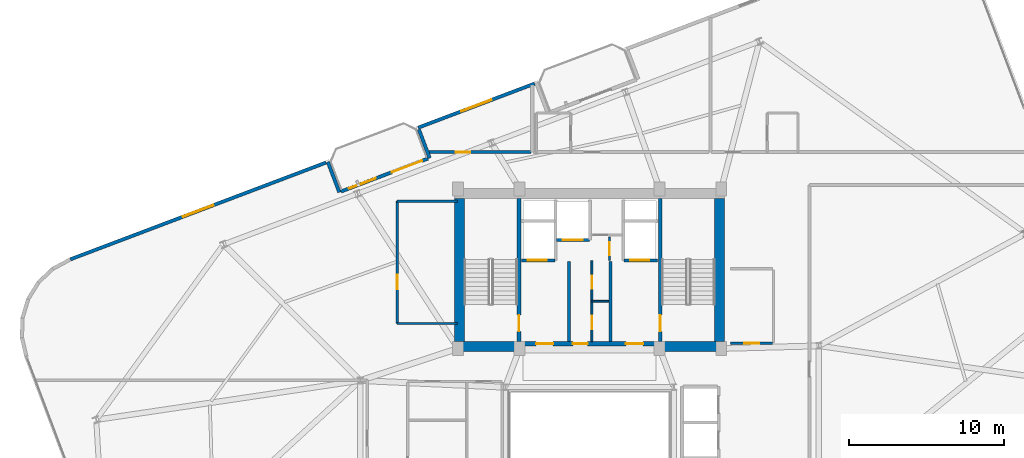
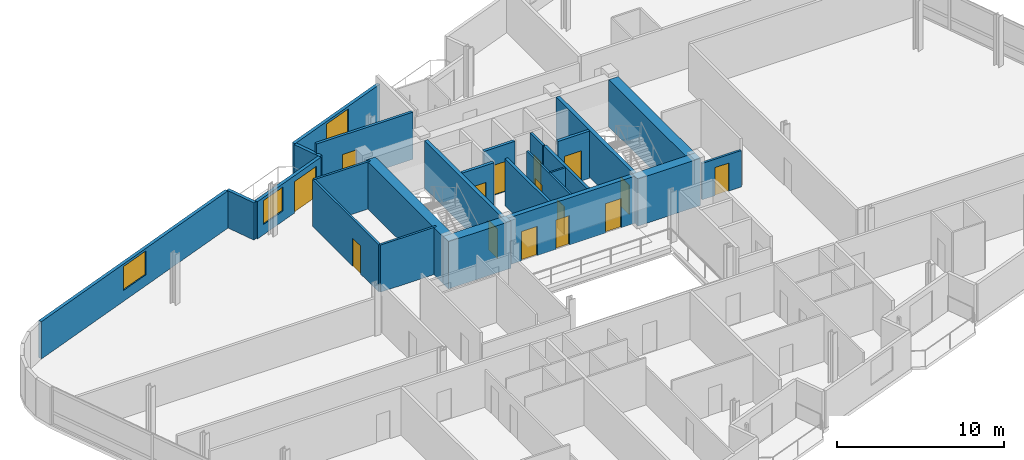
# One storey, part 20 of 24: 25 walls, 15 doors, 3 windows, 18 openings.
"""IFC4 building model written with IfcOpenShell, lengths in metres."""

from ifc_helpers import new_model, si_unit, direction, frame, frame_2d, origin, place, context, subcontext, project, spatial, rectangle, extrude, material, layer, layer_set, type_object, element, fill, save


model = new_model("IFC4")

# Units and contexts
model_context = context("Model", 3, precision=1e-05, world=origin(), true_north=direction((0.0, 1.0)))
body_context = subcontext(model_context, "Body", "Model", "MODEL_VIEW")
ifc_project = project(units=[si_unit("LENGTHUNIT", "METRE"), si_unit("AREAUNIT", "SQUARE_METRE"), si_unit("VOLUMEUNIT", "CUBIC_METRE"), si_unit("PLANEANGLEUNIT", "RADIAN"), si_unit("MASSUNIT", "GRAM", prefix="KILO")], contexts=[model_context])

# Site, building, storey
site_placement = place(None, origin())
site = spatial("IfcSite", under=ifc_project, at=site_placement, CompositionType="ELEMENT")
building_placement = place(site_placement, origin())
building = spatial("IfcBuilding", under=site, at=building_placement, Name="Varnelok Gate Tower", CompositionType="ELEMENT")
storey_placement = place(building_placement, frame((0.0, 0.0, 212.699951171875)))
storey = spatial("IfcBuildingStorey", under=building, at=storey_placement, Name="L54", CompositionType="ELEMENT", Elevation=212.699951171875)

# Wall, openings, door, window
ifc_material_1 = material(Name="Concrete C45/55", Category="concrete")
ifc_layer_1 = layer(ifc_material_1, 0.219970703125)
ifc_layer_set_1 = layer_set([ifc_layer_1], Name="Concrete C45/55")
wall_type_1 = type_object("IfcWallType", Name="EW-BALC-220", PredefinedType="SOLIDWALL", material=ifc_layer_set_1)
wall_1_placement = place(storey_placement, frame((23.1494140625, 38.88720703125, 0.0), z_axis=(0.0, 0.0, 1.0), x_axis=(0.9352192676, 0.354069091436, 0.0)))
wall_1 = element("IfcWall", 1, at=wall_1_placement, inside=storey, type_object=wall_type_1, Name="L54 North Terrace Envelope Wall 3", PredefinedType="SOLIDWALL", context=body_context, shape_type="SweptSolid", body=[
    extrude(rectangle(XDim=6.000244140625, YDim=0.219970703125, at=frame_2d((3.0, 0.0))), origin(), (0.0, 0.0, 1.0), 2.72998046875),
])
opening_1_placement = place(wall_1_placement, frame((3.5, 0.0, 0.0)))
opening_1 = element("IfcOpeningElement", 2, at=opening_1_placement, cuts=wall_1, Name="Opening BD-2", PredefinedType="OPENING", context=body_context, shape_type="SweptSolid", body=[
    extrude(rectangle(XDim=2.10009765625, YDim=2.300048828125, at=frame_2d((1.050048828125, 1.14990234375))), frame((0.0, 0.119873046875, 0.0), z_axis=(0.0, -1.0, 0.0), x_axis=(1.0, 0.0, 0.0)), (0.0, 0.0, 1.0), 0.239990234375),
])
opening_2_placement = place(wall_1_placement, frame((0.550048828125, 0.0, 0.75)))
opening_2 = element("IfcOpeningElement", 3, at=opening_2_placement, cuts=wall_1, Name="Opening WN5", PredefinedType="OPENING", context=body_context, shape_type="SweptSolid", body=[
    extrude(rectangle(XDim=1.85009765625, YDim=1.75, at=frame_2d((0.925048828125, 0.875))), frame((0.0, 0.119873046875, 0.0), z_axis=(0.0, -1.0, 0.0), x_axis=(1.0, 0.0, 0.0)), (0.0, 0.0, 1.0), 0.239990234375),
])
ifc_material_2 = material(Name="Anodized Aluminum Alloy 6063-T6", Category="aluminium")
door_type_1 = type_object("IfcDoorType", Name="DR-EXT-SLID2100", OperationType="SLIDING_TO_LEFT", PredefinedType="DOOR", material=ifc_material_2)
door_1_placement = place(opening_1_placement, origin())
door_1 = element("IfcDoor", 4, at=door_1_placement, inside=storey, type_object=door_type_1, Name="L54 North Balcony Glazed Door 3", OperationType="SLIDING_TO_LEFT", OverallHeight=2.300048828125, OverallWidth=2.10009765625, PredefinedType="DOOR", context=body_context, shape_type="SweptSolid", body=[
    extrude(rectangle(XDim=2.10009765625, YDim=2.300048828125, at=frame_2d((1.050048828125, 1.14990234375))), frame((0.0, 0.02490234375, 0.0), z_axis=(0.0, -1.0, 0.0), x_axis=(1.0, 0.0, 0.0)), (0.0, 0.0, 1.0), 0.050048828125),
])
fill(opening_1, door_1)
ifc_material_3 = material(Name="Low-E Laminated Double Glazing IGU", Category="glass")
window_type_1 = type_object("IfcWindowType", Name="WN-RES-1850", PartitioningType="SINGLE_PANEL", PredefinedType="WINDOW", material=ifc_material_3)
window_1_placement = place(opening_2_placement, origin())
window_1 = element("IfcWindow", 5, at=window_1_placement, inside=storey, type_object=window_type_1, Name="L54 North Vision Window 3.1", OverallHeight=1.75, OverallWidth=1.85009765625, PartitioningType="SINGLE_PANEL", PredefinedType="WINDOW", context=body_context, shape_type="SweptSolid", body=[
    extrude(rectangle(XDim=1.85009765625, YDim=1.75, at=frame_2d((0.925048828125, 0.875))), frame((0.0, 0.030029296875, 0.0), z_axis=(0.0, -1.0, 0.0), x_axis=(1.0, 0.0, 0.0)), (0.0, 0.0, 1.0), 0.06005859375),
])
fill(opening_2, window_1)

# Wall, opening, window
wall_2_placement = place(storey_placement, frame((35.647705078125, 45.853515625, 0.0), z_axis=(0.0, 0.0, 1.0), x_axis=(-0.935230796934, -0.354038636968, 0.0)))
wall_2 = element("IfcWall", 6, at=wall_2_placement, inside=storey, type_object=wall_type_1, Name="L54 Perimeter Facade Closure Wall 29", PredefinedType="SOLIDWALL", context=body_context, shape_type="SweptSolid", body=[
    extrude(rectangle(XDim=8.03515625, YDim=0.219970703125, at=frame_2d((4.017578125, 0.0))), origin(), (0.0, 0.0, 1.0), 2.72998046875),
])
opening_3_placement = place(wall_2_placement, frame((2.967529296875, 0.0, 0.800048828125)))
opening_3 = element("IfcOpeningElement", 7, at=opening_3_placement, cuts=wall_2, Name="Opening WN4", PredefinedType="OPENING", context=body_context, shape_type="SweptSolid", body=[
    extrude(rectangle(XDim=2.10009765625, YDim=1.75, at=frame_2d((1.050048828125, 0.875))), frame((0.0, 0.119873046875, 0.0), z_axis=(0.0, -1.0, 0.0), x_axis=(1.0, 0.0, 0.0)), (0.0, 0.0, 1.0), 0.239990234375),
])
window_type_2 = type_object("IfcWindowType", Name="WN-SUI-2100", PartitioningType="SINGLE_PANEL", PredefinedType="WINDOW", material=ifc_material_3)
window_2_placement = place(opening_3_placement, origin())
window_2 = element("IfcWindow", 8, at=window_2_placement, inside=storey, type_object=window_type_2, Name="L54 Perimeter Vision Window 29", OverallHeight=1.75, OverallWidth=2.10009765625, PartitioningType="SINGLE_PANEL", PredefinedType="WINDOW", context=body_context, shape_type="SweptSolid", body=[
    extrude(rectangle(XDim=2.10009765625, YDim=1.75, at=frame_2d((1.050048828125, 0.875))), frame((0.0, 0.030029296875, 0.0), z_axis=(0.0, -1.0, 0.0), x_axis=(1.0, 0.0, 0.0)), (0.0, 0.0, 1.0), 0.06005859375),
])
fill(opening_3, window_2)

# Walls
wall_3_placement = place(storey_placement, frame((28.177490234375, 42.891845703125, 0.0), z_axis=(0.0, 0.0, 1.0), x_axis=(0.354061611705, -0.935222099352, 0.0)))
element("IfcWall", 9, at=wall_3_placement, inside=storey, type_object=wall_type_1, Name="L54 Perimeter Facade Closure Wall 30", PredefinedType="SOLIDWALL", context=body_context, shape_type="SweptSolid", body=[
    extrude(rectangle(XDim=1.974853515625, YDim=0.219970703125, at=frame_2d((0.9873046875, 0.0))), origin(), (0.0, 0.0, 1.0), 2.72998046875),
])
wall_4_placement = place(storey_placement, frame((23.041015625, 38.83544921875, 0.0), z_axis=(0.0, 0.0, 1.0), x_axis=(-0.354128469405, 0.935196785258, 0.0)))
element("IfcWall", 10, at=wall_4_placement, inside=storey, type_object=wall_type_1, Name="L54 Perimeter Facade Closure Wall 31", PredefinedType="SOLIDWALL", context=body_context, shape_type="SweptSolid", body=[
    extrude(rectangle(XDim=2.099853515625, YDim=0.219970703125, at=frame_2d((1.0498046875, 0.0))), origin(), (0.0, 0.0, 1.0), 2.72998046875),
])

# Wall, opening, window
wall_5_placement = place(storey_placement, frame((22.180419921875, 40.755126953125, 0.0), z_axis=(0.0, 0.0, 1.0), x_axis=(-0.935223867561, -0.354056941104, 0.0)))
wall_5 = element("IfcWall", 11, at=wall_5_placement, inside=storey, type_object=wall_type_1, Name="L54 Perimeter Facade Closure Wall 32", PredefinedType="SOLIDWALL", context=body_context, shape_type="SweptSolid", body=[
    extrude(rectangle(XDim=17.64697265625, YDim=0.219970703125, at=frame_2d((8.823486328125, 0.0))), origin(), (0.0, 0.0, 1.0), 2.72998046875),
])
opening_4_placement = place(wall_5_placement, frame((7.773681640625, 0.0, 0.800048828125)))
opening_4 = element("IfcOpeningElement", 12, at=opening_4_placement, cuts=wall_5, Name="Opening WN4", PredefinedType="OPENING", context=body_context, shape_type="SweptSolid", body=[
    extrude(rectangle(XDim=2.10009765625, YDim=1.75, at=frame_2d((1.050048828125, 0.875))), frame((0.0, 0.119873046875, 0.0), z_axis=(0.0, -1.0, 0.0), x_axis=(1.0, 0.0, 0.0)), (0.0, 0.0, 1.0), 0.239990234375),
])
window_3_placement = place(opening_4_placement, origin())
window_3 = element("IfcWindow", 13, at=window_3_placement, inside=storey, type_object=window_type_2, Name="L54 Perimeter Vision Window 32", OverallHeight=1.75, OverallWidth=2.10009765625, PartitioningType="SINGLE_PANEL", PredefinedType="WINDOW", context=body_context, shape_type="SweptSolid", body=[
    extrude(rectangle(XDim=2.10009765625, YDim=1.75, at=frame_2d((1.050048828125, 0.875))), frame((0.0, 0.030029296875, 0.0), z_axis=(0.0, -1.0, 0.0), x_axis=(1.0, 0.0, 0.0)), (0.0, 0.0, 1.0), 0.06005859375),
])
fill(opening_4, window_3)

# Wall, opening, door
ifc_material_4 = material(Name="Gypsum Plasterboard Acoustic Partition", Category="gypsum")
ifc_layer_2 = layer(ifc_material_4, 0.179931640625)
ifc_layer_set_2 = layer_set([ifc_layer_2], Name="Gypsum Plasterboard Acoustic Partition")
wall_type_2 = type_object("IfcWallType", Name="PW-CORR-180", PredefinedType="PARTITIONING", material=ifc_layer_set_2)
wall_6_placement = place(storey_placement, frame((28.752197265625, 41.429931640625, 0.0), z_axis=(0.0, 0.0, 1.0), x_axis=(1.0, 0.0, 0.0)))
wall_6 = element("IfcWall", 14, at=wall_6_placement, inside=storey, type_object=wall_type_2, Name="Interior Partition", PredefinedType="PARTITIONING", context=body_context, shape_type="SweptSolid", body=[
    extrude(rectangle(XDim=6.667724609375, YDim=0.179931640625, at=frame_2d((3.333984375, 0.0))), origin(), (0.0, 0.0, 1.0), 3.449951171875),
])
opening_5_placement = place(wall_6_placement, frame((1.80322265625, 0.0, 0.0)))
opening_5 = element("IfcOpeningElement", 15, at=opening_5_placement, cuts=wall_6, Name="Opening D-I2", PredefinedType="OPENING", context=body_context, shape_type="SweptSolid", body=[
    extrude(rectangle(XDim=0.949951171875, YDim=2.050048828125, at=frame_2d((0.47509765625, 1.02490234375))), frame((0.0, 0.099853515625, 0.0), z_axis=(0.0, -1.0, 0.0), x_axis=(1.0, 0.0, 0.0)), (0.0, 0.0, 1.0), 0.199951171875),
])
ifc_material_5 = material(Name="Engineered Hardwood Timber", Category="wood")
door_type_2 = type_object("IfcDoorType", Name="DR-INT-950", OperationType="NOTDEFINED", PredefinedType="DOOR", material=ifc_material_5)
door_2_placement = place(opening_5_placement, origin())
door_2 = element("IfcDoor", 16, at=door_2_placement, inside=storey, type_object=door_type_2, Name="L54 Sky Library Door", OperationType="SINGLE_SWING_LEFT", OverallHeight=2.050048828125, OverallWidth=0.949951171875, PredefinedType="DOOR", context=body_context, shape_type="SweptSolid", body=[
    extrude(rectangle(XDim=0.949951171875, YDim=2.050048828125, at=frame_2d((0.47509765625, 1.02490234375))), frame((0.0, 0.02490234375, 0.0), z_axis=(0.0, -1.0, 0.0), x_axis=(1.0, 0.0, 0.0)), (0.0, 0.0, 1.0), 0.050048828125),
])
fill(opening_5, door_2)

# Wall
ifc_layer_3 = layer(ifc_material_4, 0.125)
ifc_layer_set_3 = layer_set([ifc_layer_3], Name="Gypsum Plasterboard Acoustic Partition")
wall_type_3 = type_object("IfcWallType", Name="PW-PART-125", PredefinedType="PARTITIONING", material=ifc_layer_set_3)
wall_7_placement = place(storey_placement, frame((39.35009765625, 31.800048828125, 0.0), z_axis=(0.0, 0.0, 1.0), x_axis=(1.0, 0.0, 0.0)))
element("IfcWall", 17, at=wall_7_placement, inside=storey, type_object=wall_type_3, Name="Interior Partition", PredefinedType="PARTITIONING", context=body_context, shape_type="SweptSolid", body=[
    extrude(rectangle(XDim=1.08984375, YDim=0.125, at=frame_2d((0.544921875, 0.0))), origin(), (0.0, 0.0, 1.0), 3.449951171875),
])

# Wall, openings, doors
wall_8_placement = place(storey_placement, frame((39.35009765625, 29.199951171875, 0.0), z_axis=(0.0, 0.0, 1.0), x_axis=(0.0, 1.0, 0.0)))
wall_8 = element("IfcWall", 18, at=wall_8_placement, inside=storey, type_object=wall_type_3, Name="Interior Partition", PredefinedType="PARTITIONING", context=body_context, shape_type="SweptSolid", body=[
    extrude(rectangle(XDim=5.219970703125, YDim=0.125, at=frame_2d((2.60986328125, 0.0))), origin(), (0.0, 0.0, 1.0), 3.449951171875),
])
opening_6_placement = place(wall_8_placement, frame((0.800048828125, 0.0, 0.0)))
opening_6 = element("IfcOpeningElement", 19, at=opening_6_placement, cuts=wall_8, Name="Opening D-RS", PredefinedType="OPENING", context=body_context, shape_type="SweptSolid", body=[
    extrude(rectangle(XDim=0.85009765625, YDim=2.050048828125, at=frame_2d((0.425048828125, 1.02490234375))), frame((0.0, 0.072509765625, 0.0), z_axis=(0.0, -1.0, 0.0), x_axis=(1.0, 0.0, 0.0)), (0.0, 0.0, 1.0), 0.14501953125),
])
opening_7_placement = place(wall_8_placement, frame((3.39990234375, 0.0, 0.0)))
opening_7 = element("IfcOpeningElement", 20, at=opening_7_placement, cuts=wall_8, Name="Opening D-RS", PredefinedType="OPENING", context=body_context, shape_type="SweptSolid", body=[
    extrude(rectangle(XDim=0.85009765625, YDim=2.050048828125, at=frame_2d((0.425048828125, 1.02490234375))), frame((0.0, 0.072509765625, 0.0), z_axis=(0.0, -1.0, 0.0), x_axis=(1.0, 0.0, 0.0)), (0.0, 0.0, 1.0), 0.14501953125),
])
ifc_material_6 = material(Name="Galvanized Steel Grade S350GD", Category="steel")
door_type_3 = type_object("IfcDoorType", Name="DR-RISER-850", OperationType="NOTDEFINED", PredefinedType="DOOR", material=ifc_material_6)
door_3_placement = place(opening_6_placement, origin())
door_3 = element("IfcDoor", 21, at=door_3_placement, inside=storey, type_object=door_type_3, Name="L54 Housekeeping Linen Door", OperationType="SINGLE_SWING_RIGHT", OverallHeight=2.050048828125, OverallWidth=0.85009765625, PredefinedType="DOOR", context=body_context, shape_type="SweptSolid", body=[
    extrude(rectangle(XDim=0.85009765625, YDim=2.050048828125, at=frame_2d((0.425048828125, 1.02490234375))), frame((0.0, 0.02490234375, 0.0), z_axis=(0.0, -1.0, 0.0), x_axis=(1.0, 0.0, 0.0)), (0.0, 0.0, 1.0), 0.050048828125),
])
fill(opening_6, door_3)
door_4_placement = place(opening_7_placement, origin())
door_4 = element("IfcDoor", 22, at=door_4_placement, inside=storey, type_object=door_type_3, Name="L54 Core Supply Door", OperationType="SINGLE_SWING_LEFT", OverallHeight=2.050048828125, OverallWidth=0.85009765625, PredefinedType="DOOR", context=body_context, shape_type="SweptSolid", body=[
    extrude(rectangle(XDim=0.85009765625, YDim=2.050048828125, at=frame_2d((0.425048828125, 1.02490234375))), frame((0.0, 0.02490234375, 0.0), z_axis=(0.0, -1.0, 0.0), x_axis=(1.0, 0.0, 0.0)), (0.0, 0.0, 1.0), 0.050048828125),
])
fill(opening_7, door_4)

# Wall, opening, door
ifc_layer_4 = layer(ifc_material_4, 0.14990234375)
ifc_layer_set_4 = layer_set([ifc_layer_4], Name="Gypsum Plasterboard Acoustic Partition")
wall_type_4 = type_object("IfcWallType", Name="PW-PART-150", PredefinedType="PARTITIONING", material=ifc_layer_set_4)
wall_9_placement = place(storey_placement, frame((40.47998046875, 34.43994140625, 0.0), z_axis=(0.0, 0.0, 1.0), x_axis=(0.0, 1.0, 0.0)))
wall_9 = element("IfcWall", 23, at=wall_9_placement, inside=storey, type_object=wall_type_4, Name="L54 Telecoms Closet West Wall", PredefinedType="PARTITIONING", context=body_context, shape_type="SweptSolid", body=[
    extrude(rectangle(XDim=1.52001953125, YDim=0.14990234375, at=frame_2d((0.760009765625, 0.0))), origin(), (0.0, 0.0, 1.0), 3.449951171875),
])
opening_8_placement = place(wall_9_placement, frame((0.320068359375, 0.0, 0.0)))
opening_8 = element("IfcOpeningElement", 24, at=opening_8_placement, cuts=wall_9, Name="Opening D-RS", PredefinedType="OPENING", context=body_context, shape_type="SweptSolid", body=[
    extrude(rectangle(XDim=0.85009765625, YDim=2.050048828125, at=frame_2d((0.425048828125, 1.02490234375))), frame((0.0, 0.0849609375, 0.0), z_axis=(0.0, -1.0, 0.0), x_axis=(1.0, 0.0, 0.0)), (0.0, 0.0, 1.0), 0.169921875),
])
door_5_placement = place(opening_8_placement, origin())
door_5 = element("IfcDoor", 25, at=door_5_placement, inside=storey, type_object=door_type_3, Name="L54 Telecoms Closet Door", OperationType="SINGLE_SWING_LEFT", OverallHeight=2.050048828125, OverallWidth=0.85009765625, PredefinedType="DOOR", context=body_context, shape_type="SweptSolid", body=[
    extrude(rectangle(XDim=0.85009765625, YDim=2.050048828125, at=frame_2d((0.425048828125, 1.02490234375))), frame((0.0, 0.02490234375, 0.0), z_axis=(0.0, -1.0, 0.0), x_axis=(1.0, 0.0, 0.0)), (0.0, 0.0, 1.0), 0.050048828125),
])
fill(opening_8, door_5)

# Walls
for number, where, z_axis, x_axis, name in (
    (26, (26.780029296875, 30.360107421875, 0.0), (0.0, 0.0, 1.0), (1.0, 0.0, 0.0), "Interior Partition"),
    (27, (26.780029296875, 38.260009765625, 0.0), (0.0, 0.0, 1.0), (1.0, 0.0, 0.0), "Interior Partition"),
):
    element("IfcWall", number, at=place(storey_placement, frame(where, z_axis=z_axis, x_axis=x_axis)), inside=storey, type_object=wall_type_4, Name=name, PredefinedType="PARTITIONING", context=body_context, shape_type="SweptSolid", body=[
        extrude(rectangle(XDim=3.89990234375, YDim=0.14990234375, at=frame_2d((1.949951171875, 0.0))), origin(), (0.0, 0.0, 1.0), 3.449951171875),
    ])

# Wall, opening, door
wall_10_placement = place(storey_placement, frame((26.780029296875, 30.360107421875, 0.0), z_axis=(0.0, 0.0, 1.0), x_axis=(0.0, 1.0, 0.0)))
wall_10 = element("IfcWall", 28, at=wall_10_placement, inside=storey, type_object=wall_type_4, Name="Interior Partition", PredefinedType="PARTITIONING", context=body_context, shape_type="SweptSolid", body=[
    extrude(rectangle(XDim=7.89990234375, YDim=0.14990234375, at=frame_2d((3.949951171875, 0.0))), origin(), (0.0, 0.0, 1.0), 3.449951171875),
])
opening_9_placement = place(wall_10_placement, frame((2.199951171875, 0.0, 0.0)))
opening_9 = element("IfcOpeningElement", 29, at=opening_9_placement, cuts=wall_10, Name="Opening D-I2", PredefinedType="OPENING", context=body_context, shape_type="SweptSolid", body=[
    extrude(rectangle(XDim=0.949951171875, YDim=2.050048828125, at=frame_2d((0.47509765625, 1.02490234375))), frame((0.0, 0.0849609375, 0.0), z_axis=(0.0, -1.0, 0.0), x_axis=(1.0, 0.0, 0.0)), (0.0, 0.0, 1.0), 0.169921875),
])
door_6_placement = place(opening_9_placement, origin())
door_6 = element("IfcDoor", 30, at=door_6_placement, inside=storey, type_object=door_type_2, Name="L54 Core Valet Door", OperationType="SINGLE_SWING_RIGHT", OverallHeight=2.050048828125, OverallWidth=0.949951171875, PredefinedType="DOOR", context=body_context, shape_type="SweptSolid", body=[
    extrude(rectangle(XDim=0.949951171875, YDim=2.050048828125, at=frame_2d((0.47509765625, 1.02490234375))), frame((0.0, 0.02490234375, 0.0), z_axis=(0.0, -1.0, 0.0), x_axis=(1.0, 0.0, 0.0)), (0.0, 0.0, 1.0), 0.050048828125),
])
fill(opening_9, door_6)

wall_11_placement = place(storey_placement, frame((48.300048828125, 29.080078125, 0.0), z_axis=(0.0, 0.0, 1.0), x_axis=(1.0, 0.0, 0.0)))
wall_11 = element("IfcWall", 31, at=wall_11_placement, inside=storey, type_object=wall_type_4, Name="Interior Partition", PredefinedType="PARTITIONING", context=body_context, shape_type="SweptSolid", body=[
    extrude(rectangle(XDim=2.719970703125, YDim=0.14990234375, at=frame_2d((1.35986328125, 0.0))), origin(), (0.0, 0.0, 1.0), 2.662109375),
])
opening_10_placement = place(wall_11_placement, frame((0.89990234375, 0.0, 0.0)))
opening_10 = element("IfcOpeningElement", 32, at=opening_10_placement, cuts=wall_11, Name="Opening D-I2", PredefinedType="OPENING", context=body_context, shape_type="SweptSolid", body=[
    extrude(rectangle(XDim=0.949951171875, YDim=2.050048828125, at=frame_2d((0.47509765625, 1.02490234375))), frame((0.0, 0.0849609375, 0.0), z_axis=(0.0, -1.0, 0.0), x_axis=(1.0, 0.0, 0.0)), (0.0, 0.0, 1.0), 0.169921875),
])
door_7_placement = place(opening_10_placement, origin())
door_7 = element("IfcDoor", 33, at=door_7_placement, inside=storey, type_object=door_type_2, Name="L54 Reclaimed Trunk Store Door", OperationType="SINGLE_SWING_LEFT", OverallHeight=2.050048828125, OverallWidth=0.949951171875, PredefinedType="DOOR", context=body_context, shape_type="SweptSolid", body=[
    extrude(rectangle(XDim=0.949951171875, YDim=2.050048828125, at=frame_2d((0.47509765625, 1.02490234375))), frame((0.0, 0.02490234375, 0.0), z_axis=(0.0, -1.0, 0.0), x_axis=(1.0, 0.0, 0.0)), (0.0, 0.0, 1.0), 0.050048828125),
])
fill(opening_10, door_7)

# Walls
ifc_material_7 = material(Name="Concrete C35/45", Category="concrete")
ifc_layer_5 = layer(ifc_material_7, 0.199951171875)
ifc_layer_set_5 = layer_set([ifc_layer_5], Name="Concrete C35/45")
wall_type_5 = type_object("IfcWallType", Name="PW-SHAFT-200", PredefinedType="PARTITIONING", material=ifc_layer_set_5)
for number, where, z_axis, x_axis, name in (
    (34, (37.860107421875, 29.199951171875, 0.0), (0.0, 0.0, 1.0), (0.0, 1.0, 0.0), "L54 West FF Lobby Rated Wall"),
    (35, (40.5400390625, 29.199951171875, 0.0), (0.0, 0.0, 1.0), (0.0, 1.0, 0.0), "L54 East FF Lobby Rated Wall"),
):
    element("IfcWall", number, at=place(storey_placement, frame(where, z_axis=z_axis, x_axis=x_axis)), inside=storey, type_object=wall_type_5, Name=name, PredefinedType="PARTITIONING", context=body_context, shape_type="SweptSolid", body=[
        extrude(rectangle(XDim=5.179931640625, YDim=0.199951171875, at=frame_2d((2.58984375, 0.0))), origin(), (0.0, 0.0, 1.0), 3.449951171875),
    ])

# Wall, opening, door
wall_12_placement = place(storey_placement, frame((34.800048828125, 34.43994140625, 0.0), z_axis=(0.0, 0.0, 1.0), x_axis=(1.0, 0.0, 0.0)))
wall_12 = element("IfcWall", 36, at=wall_12_placement, inside=storey, type_object=wall_type_5, Name="L54 FF1 Shaft Front Wall", PredefinedType="PARTITIONING", context=body_context, shape_type="SweptSolid", body=[
    extrude(rectangle(XDim=2.179931640625, YDim=0.199951171875, at=frame_2d((1.08984375, 0.0))), origin(), (0.0, 0.0, 1.0), 3.449951171875),
])
opening_11_placement = place(wall_12_placement, frame((0.419921875, 0.0, 0.0)))
opening_11 = element("IfcOpeningElement", 37, at=opening_11_placement, cuts=wall_12, Name="Opening LD-FF1", PredefinedType="OPENING", context=body_context, shape_type="SweptSolid", body=[
    extrude(rectangle(XDim=1.199951171875, YDim=2.199951171875, at=frame_2d((0.60009765625, 1.10009765625))), frame((0.0, 0.10986328125, 0.0), z_axis=(0.0, -1.0, 0.0), x_axis=(1.0, 0.0, 0.0)), (0.0, 0.0, 1.0), 0.219970703125),
])
door_type_4 = type_object("IfcDoorType", Name="DR-LIFT-FF1200", OperationType="SLIDING_TO_LEFT", PredefinedType="DOOR", material=ifc_material_6)
door_8_placement = place(opening_11_placement, origin())
door_8 = element("IfcDoor", 38, at=door_8_placement, inside=storey, type_object=door_type_4, Name="L54 Firefighting Lift Landing Door LD-FF1", OperationType="SLIDING_TO_LEFT", OverallHeight=2.199951171875, OverallWidth=1.199951171875, PredefinedType="DOOR", context=body_context, shape_type="SweptSolid", body=[
    extrude(rectangle(XDim=1.199951171875, YDim=2.199951171875, at=frame_2d((0.60009765625, 1.10009765625))), frame((0.0, 0.02490234375, 0.0), z_axis=(0.0, -1.0, 0.0), x_axis=(1.0, 0.0, 0.0)), (0.0, 0.0, 1.0), 0.050048828125),
])
fill(opening_11, door_8)

wall_13_placement = place(storey_placement, frame((41.419921875, 34.43994140625, 0.0), z_axis=(0.0, 0.0, 1.0), x_axis=(1.0, 0.0, 0.0)))
wall_13 = element("IfcWall", 39, at=wall_13_placement, inside=storey, type_object=wall_type_5, Name="L54 FF2 Shaft Front Wall", PredefinedType="PARTITIONING", context=body_context, shape_type="SweptSolid", body=[
    extrude(rectangle(XDim=2.18017578125, YDim=0.199951171875, at=frame_2d((1.090087890625, 0.0))), origin(), (0.0, 0.0, 1.0), 3.449951171875),
])
opening_12_placement = place(wall_13_placement, frame((0.419921875, 0.0, 0.0)))
opening_12 = element("IfcOpeningElement", 40, at=opening_12_placement, cuts=wall_13, Name="Opening LD-FF2", PredefinedType="OPENING", context=body_context, shape_type="SweptSolid", body=[
    extrude(rectangle(XDim=1.199951171875, YDim=2.199951171875, at=frame_2d((0.60009765625, 1.10009765625))), frame((0.0, 0.10986328125, 0.0), z_axis=(0.0, -1.0, 0.0), x_axis=(1.0, 0.0, 0.0)), (0.0, 0.0, 1.0), 0.219970703125),
])
door_9_placement = place(opening_12_placement, origin())
door_9 = element("IfcDoor", 41, at=door_9_placement, inside=storey, type_object=door_type_4, Name="L54 Firefighting Lift Landing Door LD-FF2", OperationType="SLIDING_TO_LEFT", OverallHeight=2.199951171875, OverallWidth=1.199951171875, PredefinedType="DOOR", context=body_context, shape_type="SweptSolid", body=[
    extrude(rectangle(XDim=1.199951171875, YDim=2.199951171875, at=frame_2d((0.60009765625, 1.10009765625))), frame((0.0, 0.02490234375, 0.0), z_axis=(0.0, -1.0, 0.0), x_axis=(1.0, 0.0, 0.0)), (0.0, 0.0, 1.0), 0.050048828125),
])
fill(opening_12, door_9)

wall_14_placement = place(storey_placement, frame((37.06005859375, 35.75, 0.0), z_axis=(0.0, 0.0, 1.0), x_axis=(1.0, 0.0, 0.0)))
wall_14 = element("IfcWall", 42, at=wall_14_placement, inside=storey, type_object=wall_type_5, Name="L54 SV1 Shaft Front Wall", PredefinedType="PARTITIONING", context=body_context, shape_type="SweptSolid", body=[
    extrude(rectangle(XDim=2.119873046875, YDim=0.199951171875, at=frame_2d((1.06005859375, 0.0))), origin(), (0.0, 0.0, 1.0), 3.449951171875),
])
opening_13_placement = place(wall_14_placement, frame((0.39990234375, 0.0, 0.0)))
opening_13 = element("IfcOpeningElement", 43, at=opening_13_placement, cuts=wall_14, Name="Opening LD-SV1", PredefinedType="OPENING", context=body_context, shape_type="SweptSolid", body=[
    extrude(rectangle(XDim=1.300048828125, YDim=2.199951171875, at=frame_2d((0.64990234375, 1.10009765625))), frame((0.0, 0.10986328125, 0.0), z_axis=(0.0, -1.0, 0.0), x_axis=(1.0, 0.0, 0.0)), (0.0, 0.0, 1.0), 0.219970703125),
])
door_type_5 = type_object("IfcDoorType", Name="DR-LIFT-SV1300", OperationType="SLIDING_TO_LEFT", PredefinedType="DOOR", material=ifc_material_6)
door_10_placement = place(opening_13_placement, origin())
door_10 = element("IfcDoor", 44, at=door_10_placement, inside=storey, type_object=door_type_5, Name="L54 Service Lift Landing Door LD-SV1", OperationType="SLIDING_TO_LEFT", OverallHeight=2.199951171875, OverallWidth=1.300048828125, PredefinedType="DOOR", context=body_context, shape_type="SweptSolid", body=[
    extrude(rectangle(XDim=1.300048828125, YDim=2.199951171875, at=frame_2d((0.64990234375, 1.10009765625))), frame((0.0, 0.02490234375, 0.0), z_axis=(0.0, -1.0, 0.0), x_axis=(1.0, 0.0, 0.0)), (0.0, 0.0, 1.0), 0.050048828125),
])
fill(opening_13, door_10)

# Walls
ifc_material_8 = material(Name="Concrete C60/75", Category="concrete")
ifc_layer_6 = layer(ifc_material_8, 0.64990234375)
ifc_layer_set_6 = layer_set([ifc_layer_6], Name="Concrete C60/75")
wall_type_6 = type_object("IfcWallType", Name="SW-CORE-650", PredefinedType="SHEAR", material=ifc_layer_set_6)
for number, where, z_axis, x_axis, name in (
    (45, (30.804931640625, 29.199951171875, 0.0), (0.0, 0.0, 1.0), (0.0, 1.0, 0.0), "L54 Rear Core West Shear Wall"),
    (46, (47.594970703125, 29.199951171875, 0.0), (0.0, 0.0, 1.0), (0.0, 1.0, 0.0), "L54 Rear Core East Shear Wall"),
):
    element("IfcWall", number, at=place(storey_placement, frame(where, z_axis=z_axis, x_axis=x_axis)), inside=storey, type_object=wall_type_6, Name=name, PredefinedType="SHEAR", context=body_context, shape_type="SweptSolid", body=[
        extrude(rectangle(XDim=9.219970703125, YDim=0.64990234375, at=frame_2d((4.60986328125, 0.0))), origin(), (0.0, 0.0, 1.0), 3.449951171875),
    ])
wall_15_placement = place(storey_placement, frame((30.47998046875, 28.875, 0.0), z_axis=(0.0, 0.0, 1.0), x_axis=(1.0, 0.0, 0.0)))
element("IfcWall", 47, at=wall_15_placement, inside=storey, type_object=wall_type_6, Name="L54 Rear Core South-West Shear Wall", PredefinedType="SHEAR", context=body_context, shape_type="SweptSolid", body=[
    extrude(rectangle(XDim=4.320068359375, YDim=0.64990234375, at=frame_2d((2.16015625, 0.0))), origin(), (0.0, 0.0, 1.0), 3.449951171875),
])
wall_16_placement = place(storey_placement, frame((43.60009765625, 28.875, 0.0), z_axis=(0.0, 0.0, 1.0), x_axis=(1.0, 0.0, 0.0)))
element("IfcWall", 48, at=wall_16_placement, inside=storey, type_object=wall_type_6, Name="L54 Rear Core South-East Shear Wall", PredefinedType="SHEAR", context=body_context, shape_type="SweptSolid", body=[
    extrude(rectangle(XDim=4.31982421875, YDim=0.64990234375, at=frame_2d((2.159912109375, 0.0))), origin(), (0.0, 0.0, 1.0), 3.449951171875),
])

# Wall, opening, door
ifc_layer_7 = layer(ifc_material_8, 0.25)
ifc_layer_set_7 = layer_set([ifc_layer_7], Name="Concrete C60/75")
wall_type_7 = type_object("IfcWallType", Name="SW-SHAFT-250", PredefinedType="SHEAR", material=ifc_layer_set_7)
wall_17_placement = place(storey_placement, frame((34.639892578125, 29.199951171875, 0.0), z_axis=(0.0, 0.0, 1.0), x_axis=(0.0, 1.0, 0.0)))
wall_17 = element("IfcWall", 49, at=wall_17_placement, inside=storey, type_object=wall_type_7, Name="L54 Stair ST-1 East Shear Wall", PredefinedType="SHEAR", context=body_context, shape_type="SweptSolid", body=[
    extrude(rectangle(XDim=9.219970703125, YDim=0.25, at=frame_2d((4.60986328125, 0.0))), origin(), (0.0, 0.0, 1.0), 3.449951171875),
])
opening_14_placement = place(wall_17_placement, frame((0.64990234375, 0.0, 0.0)))
opening_14 = element("IfcOpeningElement", 50, at=opening_14_placement, cuts=wall_17, Name="Opening D-ST", PredefinedType="OPENING", context=body_context, shape_type="SweptSolid", body=[
    extrude(rectangle(XDim=1.050048828125, YDim=2.14990234375, at=frame_2d((0.52490234375, 1.074951171875))), frame((0.0, 0.135009765625, 0.0), z_axis=(0.0, -1.0, 0.0), x_axis=(1.0, 0.0, 0.0)), (0.0, 0.0, 1.0), 0.27001953125),
])
door_type_6 = type_object("IfcDoorType", Name="DR-STAIR-1050", OperationType="NOTDEFINED", PredefinedType="DOOR", material=ifc_material_6)
door_11_placement = place(opening_14_placement, origin())
door_11 = element("IfcDoor", 51, at=door_11_placement, inside=storey, type_object=door_type_6, Name="L54 Exit Stair ST-1 Fire Door", OperationType="SINGLE_SWING_LEFT", OverallHeight=2.14990234375, OverallWidth=1.050048828125, PredefinedType="DOOR", context=body_context, shape_type="SweptSolid", body=[
    extrude(rectangle(XDim=1.050048828125, YDim=2.14990234375, at=frame_2d((0.52490234375, 1.074951171875))), frame((0.0, 0.02490234375, 0.0), z_axis=(0.0, -1.0, 0.0), x_axis=(1.0, 0.0, 0.0)), (0.0, 0.0, 1.0), 0.050048828125),
])
fill(opening_14, door_11)

wall_18_placement = place(storey_placement, frame((43.760009765625, 29.199951171875, 0.0), z_axis=(0.0, 0.0, 1.0), x_axis=(0.0, 1.0, 0.0)))
wall_18 = element("IfcWall", 52, at=wall_18_placement, inside=storey, type_object=wall_type_7, Name="L54 Stair ST-2 West Shear Wall", PredefinedType="SHEAR", context=body_context, shape_type="SweptSolid", body=[
    extrude(rectangle(XDim=9.219970703125, YDim=0.25, at=frame_2d((4.60986328125, 0.0))), origin(), (0.0, 0.0, 1.0), 3.449951171875),
])
opening_15_placement = place(wall_18_placement, frame((0.64990234375, 0.0, 0.0)))
opening_15 = element("IfcOpeningElement", 53, at=opening_15_placement, cuts=wall_18, Name="Opening D-ST", PredefinedType="OPENING", context=body_context, shape_type="SweptSolid", body=[
    extrude(rectangle(XDim=1.050048828125, YDim=2.14990234375, at=frame_2d((0.52490234375, 1.074951171875))), frame((0.0, 0.135009765625, 0.0), z_axis=(0.0, -1.0, 0.0), x_axis=(1.0, 0.0, 0.0)), (0.0, 0.0, 1.0), 0.27001953125),
])
door_12_placement = place(opening_15_placement, origin())
door_12 = element("IfcDoor", 54, at=door_12_placement, inside=storey, type_object=door_type_6, Name="L54 Exit Stair ST-2 Fire Door", OperationType="SINGLE_SWING_RIGHT", OverallHeight=2.14990234375, OverallWidth=1.050048828125, PredefinedType="DOOR", context=body_context, shape_type="SweptSolid", body=[
    extrude(rectangle(XDim=1.050048828125, YDim=2.14990234375, at=frame_2d((0.52490234375, 1.074951171875))), frame((0.0, 0.02490234375, 0.0), z_axis=(0.0, -1.0, 0.0), x_axis=(1.0, 0.0, 0.0)), (0.0, 0.0, 1.0), 0.050048828125),
])
fill(opening_15, door_12)

# Wall, openings, doors
ifc_layer_8 = layer(ifc_material_8, 0.300048828125)
ifc_layer_set_8 = layer_set([ifc_layer_8], Name="Concrete C60/75")
wall_type_8 = type_object("IfcWallType", Name="SW-SHAFT-300", PredefinedType="SHEAR", material=ifc_layer_set_8)
wall_19_placement = place(storey_placement, frame((34.800048828125, 29.050048828125, 0.0), z_axis=(0.0, 0.0, 1.0), x_axis=(1.0, 0.0, 0.0)))
wall_19 = element("IfcWall", 55, at=wall_19_placement, inside=storey, type_object=wall_type_8, Name="L54 Rear Core Central Lobby Shear Wall", PredefinedType="SHEAR", context=body_context, shape_type="SweptSolid", body=[
    extrude(rectangle(XDim=8.800048828125, YDim=0.300048828125, at=frame_2d((4.39990234375, 0.0))), origin(), (0.0, 0.0, 1.0), 3.449951171875),
])
opening_16_placement = place(wall_19_placement, frame((0.949951171875, 0.0, 0.0)))
opening_16 = element("IfcOpeningElement", 56, at=opening_16_placement, cuts=wall_19, Name="Opening D-FF", PredefinedType="OPENING", context=body_context, shape_type="SweptSolid", body=[
    extrude(rectangle(XDim=1.10009765625, YDim=2.14990234375, at=frame_2d((0.550048828125, 1.074951171875))), frame((0.0, 0.159912109375, 0.0), z_axis=(0.0, -1.0, 0.0), x_axis=(1.0, 0.0, 0.0)), (0.0, 0.0, 1.0), 0.320068359375),
])
opening_17_placement = place(wall_19_placement, frame((6.75, 0.0, 0.0)))
opening_17 = element("IfcOpeningElement", 57, at=opening_17_placement, cuts=wall_19, Name="Opening D-FF", PredefinedType="OPENING", context=body_context, shape_type="SweptSolid", body=[
    extrude(rectangle(XDim=1.10009765625, YDim=2.14990234375, at=frame_2d((0.550048828125, 1.074951171875))), frame((0.0, 0.159912109375, 0.0), z_axis=(0.0, -1.0, 0.0), x_axis=(1.0, 0.0, 0.0)), (0.0, 0.0, 1.0), 0.320068359375),
])
opening_18_placement = place(wall_19_placement, frame((3.320068359375, 0.0, 0.0)))
opening_18 = element("IfcOpeningElement", 58, at=opening_18_placement, cuts=wall_19, Name="Opening D-CR", PredefinedType="OPENING", context=body_context, shape_type="SweptSolid", body=[
    extrude(rectangle(XDim=0.949951171875, YDim=2.14990234375, at=frame_2d((0.47509765625, 1.074951171875))), frame((0.0, 0.159912109375, 0.0), z_axis=(0.0, -1.0, 0.0), x_axis=(1.0, 0.0, 0.0)), (0.0, 0.0, 1.0), 0.320068359375),
])
door_type_7 = type_object("IfcDoorType", Name="DR-CORR-950", OperationType="NOTDEFINED", PredefinedType="DOOR", material=ifc_material_6)
door_13_placement = place(opening_18_placement, origin())
door_13 = element("IfcDoor", 59, at=door_13_placement, inside=storey, type_object=door_type_7, Name="L54 Core Service Passage Door", OperationType="SINGLE_SWING_LEFT", OverallHeight=2.14990234375, OverallWidth=0.949951171875, PredefinedType="DOOR", context=body_context, shape_type="SweptSolid", body=[
    extrude(rectangle(XDim=0.949951171875, YDim=2.14990234375, at=frame_2d((0.47509765625, 1.074951171875))), frame((0.0, 0.02490234375, 0.0), z_axis=(0.0, -1.0, 0.0), x_axis=(1.0, 0.0, 0.0)), (0.0, 0.0, 1.0), 0.050048828125),
])
fill(opening_18, door_13)
door_type_8 = type_object("IfcDoorType", Name="DR-FFLOB-1100", OperationType="NOTDEFINED", PredefinedType="DOOR", material=ifc_material_6)
door_14_placement = place(opening_16_placement, origin())
door_14 = element("IfcDoor", 60, at=door_14_placement, inside=storey, type_object=door_type_8, Name="L54 West Firefighting Lobby Fire Door", OperationType="SINGLE_SWING_RIGHT", OverallHeight=2.14990234375, OverallWidth=1.10009765625, PredefinedType="DOOR", context=body_context, shape_type="SweptSolid", body=[
    extrude(rectangle(XDim=1.10009765625, YDim=2.14990234375, at=frame_2d((0.550048828125, 1.074951171875))), frame((0.0, 0.02490234375, 0.0), z_axis=(0.0, -1.0, 0.0), x_axis=(1.0, 0.0, 0.0)), (0.0, 0.0, 1.0), 0.050048828125),
])
fill(opening_16, door_14)
door_15_placement = place(opening_17_placement, origin())
door_15 = element("IfcDoor", 61, at=door_15_placement, inside=storey, type_object=door_type_8, Name="L54 East Firefighting Lobby Fire Door", OperationType="SINGLE_SWING_LEFT", OverallHeight=2.14990234375, OverallWidth=1.10009765625, PredefinedType="DOOR", context=body_context, shape_type="SweptSolid", body=[
    extrude(rectangle(XDim=1.10009765625, YDim=2.14990234375, at=frame_2d((0.550048828125, 1.074951171875))), frame((0.0, 0.02490234375, 0.0), z_axis=(0.0, -1.0, 0.0), x_axis=(1.0, 0.0, 0.0)), (0.0, 0.0, 1.0), 0.050048828125),
])
fill(opening_17, door_15)

save(model, "model.ifc")
